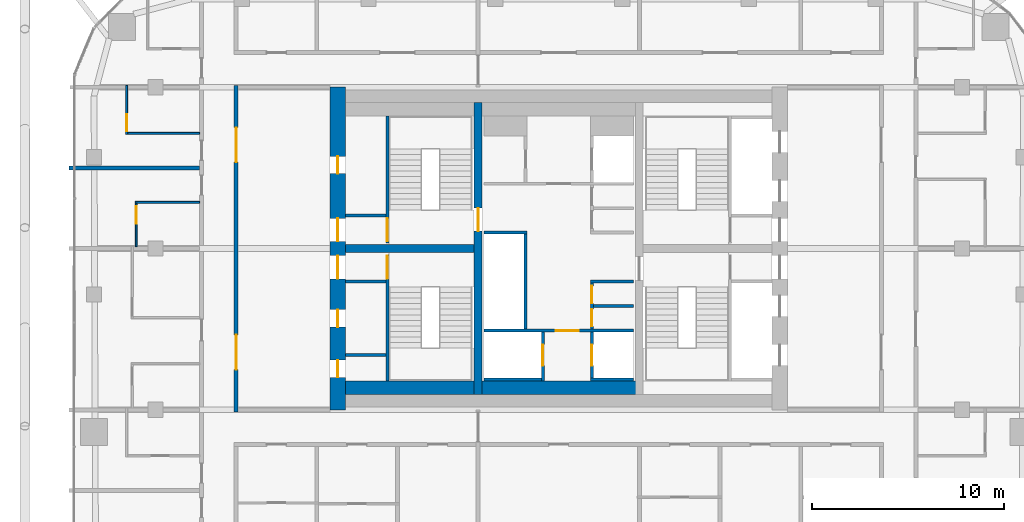
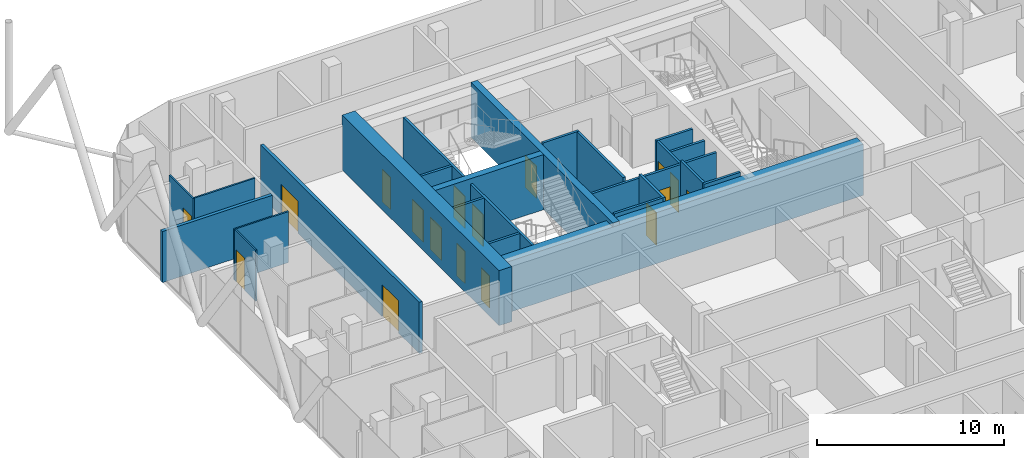
# One storey, part 24 of 28: 25 walls, 17 doors, 17 openings.
"""IFC4 building model written with IfcOpenShell, lengths in metres."""

import ifcopenshell
import ifcopenshell.guid

model = None  # the IFC model being written
_history = None  # IfcOwnerHistory: only IFC2X3 demands one
_inside = {}  # id of a spatial element -> (the spatial element, [elements in it])
_under = {}  # id of a project, library or spatial element -> (it, [spatial elements below it])
_declared = {}  # id of a project -> (the project, [libraries it declares])
_typed = {}  # id of a type object -> (the type object, [elements of that type])
_made_of = {}  # id of a material, layer set ... -> (it, [elements and type objects made of it])


def new_model(schema):
    """Start an empty IFC model of exactly this schema.

    Asked for "IFC4X3", IfcOpenShell would pick the latest addendum, in which some entities
    have other attributes; the version numbers below select the first issue.
    IFC2X3 requires an IfcOwnerHistory on every rooted entity: one is made here for all.
    """
    global model, _history
    if schema == "IFC4X3":
        model = ifcopenshell.file(schema_version=(4, 3, 0, 0))
    else:
        model = ifcopenshell.file(schema=schema)
    _inside.clear()
    _under.clear()
    _declared.clear()
    _typed.clear()
    _made_of.clear()
    _history = None
    if model.schema == "IFC2X3":
        org = make("IfcOrganization", Name="unknown")
        user = make(
            "IfcPersonAndOrganization",
            ThePerson=make("IfcPerson", FamilyName="unknown"),
            TheOrganization=org,
        )
        app = make(
            "IfcApplication",
            ApplicationDeveloper=org,
            Version="unknown",
            ApplicationFullName="unknown",
            ApplicationIdentifier="unknown",
        )
        _history = make(
            "IfcOwnerHistory",
            OwningUser=user,
            OwningApplication=app,
            ChangeAction="ADDED",
            CreationDate=0,
        )
    return model


def make(cls, **values):
    """One entity of the class cls with the attributes given. An attribute that is None is left unset."""
    return model.create_entity(
        cls, **{name: value for name, value in values.items() if value is not None}
    )


def rooted(cls, **values):
    """An entity with a GlobalId (a new one), such as an element, a storey or a relation."""
    return make(cls, GlobalId=ifcopenshell.guid.new(), OwnerHistory=_history, **values)


def si_unit(unit_type, name, prefix=None):
    """IfcSIUnit, for example si_unit("LENGTHUNIT", "METRE", prefix="MILLI")."""
    return make("IfcSIUnit", UnitType=unit_type, Prefix=prefix, Name=name)


def assignment(units):
    """IfcUnitAssignment: the units of a project."""
    return None if units is None else make("IfcUnitAssignment", Units=units)


def point(xyz):
    """IfcCartesianPoint."""
    return None if xyz is None else make("IfcCartesianPoint", Coordinates=xyz)


def direction(xyz):
    """IfcDirection."""
    return None if xyz is None else make("IfcDirection", DirectionRatios=xyz)


def frame(location, z_axis=None, x_axis=None):
    """IfcAxis2Placement3D, a coordinate frame: its origin and axes. An axis left out is left unset."""
    return make(
        "IfcAxis2Placement3D",
        Location=point(location),
        Axis=direction(z_axis),
        RefDirection=direction(x_axis),
    )


def frame_2d(location, x_axis=None):
    """IfcAxis2Placement2D, a coordinate frame in the plane: its origin and x axis."""
    return make(
        "IfcAxis2Placement2D", Location=point(location), RefDirection=direction(x_axis)
    )


def origin():
    """The frame at (0, 0, 0) with its axes left unset."""
    return frame((0.0, 0.0, 0.0))


def place(relative_to, where):
    """IfcLocalPlacement: puts the frame where relative to a parent placement (None: the world)."""
    return make(
        "IfcLocalPlacement", PlacementRelTo=relative_to, RelativePlacement=where
    )


def context(
    kind, dimensions, precision=None, world=None, true_north=None, identifier=None
):
    """IfcGeometricRepresentationContext, for example the 3D "Model" context."""
    return make(
        "IfcGeometricRepresentationContext",
        ContextIdentifier=identifier,
        ContextType=kind,
        CoordinateSpaceDimension=dimensions,
        Precision=precision,
        WorldCoordinateSystem=world,
        TrueNorth=true_north,
    )


def subcontext(parent, identifier, kind, view, scale=None):
    """IfcGeometricRepresentationSubContext, for example "Body" below "Model"."""
    return make(
        "IfcGeometricRepresentationSubContext",
        ContextIdentifier=identifier,
        ContextType=kind,
        ParentContext=parent,
        TargetScale=scale,
        TargetView=view,
    )


def project(units=None, contexts=None):
    """IfcProject with its units and contexts."""
    return rooted(
        "IfcProject",
        Name="project",
        RepresentationContexts=contexts,
        UnitsInContext=assignment(units),
    )


def spatial(cls, under=None, at=None, **own):
    """A site, building, storey or space (cls), placed at a placement, below another one or the project."""
    s = rooted(cls, ObjectPlacement=at, **own)
    if under is not None:
        _under.setdefault(under.id(), (under, []))[1].append(s)
    return s


def profile(cls, at=None, kind="AREA", **sizes):
    """A parametric profile (cls). Its sizes go by their IFC names, for example OverallWidth=200.0."""
    return make(cls, ProfileType=kind, Position=at, **sizes)


def rectangle(**sizes):
    """IfcRectangleProfileDef."""
    return profile("IfcRectangleProfileDef", **sizes)


def extrude(swept, where, along, depth):
    """IfcExtrudedAreaSolid: the profile swept, set in the frame where, extruded along a direction by depth."""
    return make(
        "IfcExtrudedAreaSolid",
        SweptArea=swept,
        Position=where,
        ExtrudedDirection=direction(along),
        Depth=depth,
    )


def shape(context_of_items, identifier, shape_type, items):
    """IfcShapeRepresentation: the items that make up one representation, for example the "Body"."""
    return make(
        "IfcShapeRepresentation",
        ContextOfItems=context_of_items,
        RepresentationIdentifier=identifier,
        RepresentationType=shape_type,
        Items=items,
    )


def material(Name=None, Category=None):
    """IfcMaterial."""
    return make("IfcMaterial", Name=Name, Category=Category)


def layer(
    of_material, thickness, ventilated=None, Name=None, Category=None, Priority=None
):
    """IfcMaterialLayer: one layer of a wall or slab, of a material (None: an air gap)."""
    return make(
        "IfcMaterialLayer",
        Material=of_material,
        LayerThickness=thickness,
        IsVentilated=ventilated,
        Name=Name,
        Category=Category,
        Priority=Priority,
    )


def layer_set(layers, Name=None):
    """IfcMaterialLayerSet."""
    return make("IfcMaterialLayerSet", MaterialLayers=layers, LayerSetName=Name)


def made_of(thing, what):
    """Note that an element or type object is made of a material, layer set ...; save() writes the relation."""
    if what is not None:
        _made_of.setdefault(what.id(), (what, []))[1].append(thing)
    return thing


def type_object(cls, material=None, **own):
    """A type object (cls), such as IfcWallType, which elements share."""
    return made_of(rooted(cls, **own), material)


def element(
    cls,
    number,
    at=None,
    inside=None,
    cuts=None,
    type_object=None,
    material=None,
    context=None,
    identifier="Body",
    shape_type=None,
    held_by="IfcProductDefinitionShape",
    body=None,
    shapes=None,
    **own,
):
    """One element of the class cls, such as IfcWall. Its Tag is "e" and its number.

    at: its placement. inside: the storey or other place that contains it. cuts: it is an
    opening in that element (IfcRelVoidsElement). A single representation is given by context,
    identifier, shape_type and body (its items); several are given by shapes. held_by: the class
    of the entity that holds the representations. save() writes the other relations.
    """
    e = rooted(cls, Tag="e%d" % number, ObjectPlacement=at, **own)
    if body is not None:
        shapes = [shape(context, identifier, shape_type, body)]
    if shapes is not None:
        e.Representation = make(held_by, Representations=shapes)
    if inside is not None:
        _inside.setdefault(inside.id(), (inside, []))[1].append(e)
    if cuts is not None:
        rooted(
            "IfcRelVoidsElement", RelatingBuildingElement=cuts, RelatedOpeningElement=e
        )
    if type_object is not None:
        _typed.setdefault(type_object.id(), (type_object, []))[1].append(e)
    return made_of(e, material)


def fill(opening, filler):
    """IfcRelFillsElement: the door or window that sits in an opening."""
    return rooted(
        "IfcRelFillsElement",
        RelatingOpeningElement=opening,
        RelatedBuildingElement=filler,
    )


def aggregate(whole, parts):
    """IfcRelAggregates: a whole, such as a stair, and the parts it consists of."""
    return rooted("IfcRelAggregates", RelatingObject=whole, RelatedObjects=parts)


def save(model, path):
    """Write the relations noted so far, then the file.

    IfcRelAggregates (storeys below a building ...), IfcRelContainedInSpatialStructure (elements
    in a storey), IfcRelDefinesByType, IfcRelAssociatesMaterial and IfcRelDeclares: one each for
    every whole, place, type object, material and project.
    """
    for whole, parts in _under.values():
        aggregate(whole, parts)
    for where, things in _inside.values():
        rooted(
            "IfcRelContainedInSpatialStructure",
            RelatedElements=things,
            RelatingStructure=where,
        )
    for kind, things in _typed.values():
        rooted("IfcRelDefinesByType", RelatedObjects=things, RelatingType=kind)
    for what, things in _made_of.values():
        rooted("IfcRelAssociatesMaterial", RelatedObjects=things, RelatingMaterial=what)
    for by, libraries in _declared.values():
        rooted("IfcRelDeclares", RelatingContext=by, RelatedDefinitions=libraries)
    model.write(path)


model = new_model("IFC4")

# Units and contexts
model_context = context("Model", 3, precision=1e-05, world=origin(), true_north=direction((0.0, 1.0)))
body_context = subcontext(model_context, "Body", "Model", "MODEL_VIEW")
ifc_project = project(units=[si_unit("LENGTHUNIT", "METRE"), si_unit("AREAUNIT", "SQUARE_METRE"), si_unit("VOLUMEUNIT", "CUBIC_METRE"), si_unit("PLANEANGLEUNIT", "RADIAN"), si_unit("MASSUNIT", "GRAM", prefix="KILO")], contexts=[model_context])

# Site, building, storey
site_placement = place(None, origin())
site = spatial("IfcSite", under=ifc_project, at=site_placement, CompositionType="ELEMENT")
building_placement = place(site_placement, origin())
building = spatial("IfcBuilding", under=site, at=building_placement, Name="Marenta Gate Hotel Tower", CompositionType="ELEMENT")
storey_placement = place(building_placement, frame((0.0, 0.0, 227.300048828125)))
storey = spatial("IfcBuildingStorey", under=building, at=storey_placement, Name="L53", CompositionType="ELEMENT", Elevation=227.300048828125)

# Wall, openings, doors
ifc_material_1 = material(Name="Concrete blockwork", Category="masonry")
ifc_layer_1 = layer(ifc_material_1, 0.199951171875)
ifc_layer_set_1 = layer_set([ifc_layer_1], Name="Concrete blockwork")
wall_type_1 = type_object("IfcWallType", Name="Core boundary wall 200 REI 180", PredefinedType="PARTITIONING", material=ifc_layer_set_1)
wall_1_placement = place(storey_placement, frame((-16.800048828125, -0.10009765625, 0.0), z_axis=(0.0, 0.0, 1.0), x_axis=(0.0, 1.0, 0.0)))
wall_1 = element("IfcWall", 1, at=wall_1_placement, inside=storey, type_object=wall_type_1, Name="L53-CP-BW-W", PredefinedType="PARTITIONING", context=body_context, shape_type="SweptSolid", body=[
    extrude(rectangle(XDim=17.0, YDim=0.199951171875, at=frame_2d((8.5, 0.0))), origin(), (0.0, 0.0, 1.0), 3.33984375),
])
opening_1_placement = place(wall_1_placement, frame((2.199951171875, 0.0, 0.0)))
opening_1 = element("IfcOpeningElement", 2, at=opening_1_placement, cuts=wall_1, Name="Opening ED-Wa-B", PredefinedType="OPENING", context=body_context, shape_type="SweptSolid", body=[
    extrude(rectangle(XDim=1.800048828125, YDim=2.10009765625, at=frame_2d((0.89990234375, 1.050048828125))), frame((0.0, 0.10009765625, 0.0), z_axis=(0.0, -1.0, 0.0), x_axis=(1.0, 0.0, 0.0)), (0.0, 0.0, 1.0), 0.199951171875),
])
opening_2_placement = place(wall_1_placement, frame((13.0, 0.0, 0.0)))
opening_2 = element("IfcOpeningElement", 3, at=opening_2_placement, cuts=wall_1, Name="Opening ED-Wb-B", PredefinedType="OPENING", context=body_context, shape_type="SweptSolid", body=[
    extrude(rectangle(XDim=1.800048828125, YDim=2.10009765625, at=frame_2d((0.89990234375, 1.050048828125))), frame((0.0, 0.10009765625, 0.0), z_axis=(0.0, -1.0, 0.0), x_axis=(1.0, 0.0, 0.0)), (0.0, 0.0, 1.0), 0.199951171875),
])
ifc_material_2 = material(Name="Steel", Category="steel")
door_type_1 = type_object("IfcDoorType", Name="Core lobby entrance door 1800x2100 EI 60", OperationType="DOUBLE_DOOR_SINGLE_SWING", PredefinedType="DOOR", material=ifc_material_2)
door_1_placement = place(opening_1_placement, origin())
door_1 = element("IfcDoor", 4, at=door_1_placement, inside=storey, type_object=door_type_1, Name="ED-Wa-B", OperationType="DOUBLE_DOOR_SINGLE_SWING", OverallHeight=2.10009765625, OverallWidth=1.800048828125, PredefinedType="DOOR", context=body_context, shape_type="SweptSolid", body=[
    extrude(rectangle(XDim=1.800048828125, YDim=2.10009765625, at=frame_2d((0.89990234375, 1.050048828125))), frame((0.0, 0.02490234375, 0.0), z_axis=(0.0, -1.0, 0.0), x_axis=(1.0, 0.0, 0.0)), (0.0, 0.0, 1.0), 0.050048828125),
])
fill(opening_1, door_1)
door_2_placement = place(opening_2_placement, origin())
door_2 = element("IfcDoor", 5, at=door_2_placement, inside=storey, type_object=door_type_1, Name="ED-Wb-B", OperationType="DOUBLE_DOOR_SINGLE_SWING", OverallHeight=2.10009765625, OverallWidth=1.800048828125, PredefinedType="DOOR", context=body_context, shape_type="SweptSolid", body=[
    extrude(rectangle(XDim=1.800048828125, YDim=2.10009765625, at=frame_2d((0.89990234375, 1.050048828125))), frame((0.0, 0.02490234375, 0.0), z_axis=(0.0, -1.0, 0.0), x_axis=(1.0, 0.0, 0.0)), (0.0, 0.0, 1.0), 0.050048828125),
])
fill(opening_2, door_2)

# Wall
ifc_material_3 = material(Name="Concrete C40", Category="concrete")
ifc_layer_2 = layer(ifc_material_3, 0.699951171875)
ifc_layer_set_2 = layer_set([ifc_layer_2], Name="Concrete C40")
wall_type_2 = type_object("IfcWallType", Name="Core lining wall 700 REI 180", PredefinedType="PARTITIONING", material=ifc_layer_set_2)
wall_2_placement = place(storey_placement, frame((-11.10009765625, 1.14990234375, 0.0), z_axis=(0.0, 0.0, 1.0), x_axis=(1.0, 0.0, 0.0)))
element("IfcWall", 6, at=wall_2_placement, inside=storey, type_object=wall_type_2, Name="L53-CP-LN-S", PredefinedType="PARTITIONING", context=body_context, shape_type="SweptSolid", body=[
    extrude(rectangle(XDim=22.2001953125, YDim=0.699951171875, at=frame_2d((11.10009765625, 0.0))), origin(), (0.0, 0.0, 1.0), 3.33984375),
])

# Wall, opening, door
ifc_material_4 = material(Name="Concrete blockwork", Category="masonry")
ifc_layer_3 = layer(ifc_material_4, 0.14990234375)
ifc_layer_set_3 = layer_set([ifc_layer_3], Name="Concrete blockwork")
wall_type_3 = type_object("IfcWallType", Name="Core lobby partition 150 REI 180", PredefinedType="PARTITIONING", material=ifc_layer_set_3)
wall_3_placement = place(storey_placement, frame((-3.89990234375, 4.125, 0.0), z_axis=(0.0, 0.0, 1.0), x_axis=(1.0, 0.0, 0.0)))
wall_3 = element("IfcWall", 7, at=wall_3_placement, inside=storey, type_object=wall_type_3, Name="L53-CP-CW-S", PredefinedType="PARTITIONING", context=body_context, shape_type="SweptSolid", body=[
    extrude(rectangle(XDim=7.7998046875, YDim=0.14990234375, at=frame_2d((3.89990234375, 0.0))), origin(), (0.0, 0.0, 1.0), 3.33984375),
])
opening_3_placement = place(wall_3_placement, frame((3.75, 0.0, 0.0)))
opening_3 = element("IfcOpeningElement", 8, at=opening_3_placement, cuts=wall_3, Name="Opening FD-FFS", PredefinedType="OPENING", context=body_context, shape_type="SweptSolid", body=[
    extrude(rectangle(XDim=1.199951171875, YDim=2.10009765625, at=frame_2d((0.60009765625, 1.050048828125))), frame((0.0, 0.074951171875, 0.0), z_axis=(0.0, -1.0, 0.0), x_axis=(1.0, 0.0, 0.0)), (0.0, 0.0, 1.0), 0.14990234375),
])
ifc_material_5 = material(Name="Steel", Category="steel")
door_type_2 = type_object("IfcDoorType", Name="Core lobby door 1200x2100 FD60", OperationType="SINGLE_SWING_LEFT", PredefinedType="DOOR", material=ifc_material_5)
door_3_placement = place(opening_3_placement, origin())
door_3 = element("IfcDoor", 9, at=door_3_placement, inside=storey, type_object=door_type_2, Name="FD-FFS", OperationType="SINGLE_SWING_LEFT", OverallHeight=2.10009765625, OverallWidth=1.199951171875, PredefinedType="DOOR", context=body_context, shape_type="SweptSolid", body=[
    extrude(rectangle(XDim=1.199951171875, YDim=2.10009765625, at=frame_2d((0.60009765625, 1.050048828125))), frame((0.0, 0.02490234375, 0.0), z_axis=(0.0, -1.0, 0.0), x_axis=(1.0, 0.0, 0.0)), (0.0, 0.0, 1.0), 0.050048828125),
])
fill(opening_3, door_3)

# Walls
ifc_material_6 = material(Name="Concrete blockwork", Category="masonry")
ifc_layer_4 = layer(ifc_material_6, 0.14990234375)
ifc_layer_set_4 = layer_set([ifc_layer_4], Name="Concrete blockwork")
wall_type_4 = type_object("IfcWallType", Name="Core room partition 150 REI 180", PredefinedType="PARTITIONING", material=ifc_layer_set_4)
for number, where, z_axis, x_axis, name in (
    (10, (-11.10009765625, 6.675048828125, 0.0), (0.0, 0.0, 1.0), (1.0, 0.0, 0.0), "L53-CP-SW-WS-2"),
    (11, (-11.10009765625, 2.85009765625, 0.0), (0.0, 0.0, 1.0), (1.0, 0.0, 0.0), "L53-CP-RW-WS-1"),
    (12, (-11.10009765625, 10.125, 0.0), (0.0, 0.0, 1.0), (1.0, 0.0, 0.0), "L53-CP-SW-WN-2"),
):
    element("IfcWall", number, at=place(storey_placement, frame(where, z_axis=z_axis, x_axis=x_axis)), inside=storey, type_object=wall_type_4, Name=name, PredefinedType="PARTITIONING", context=body_context, shape_type="SweptSolid", body=[
        extrude(rectangle(XDim=2.10009765625, YDim=0.14990234375, at=frame_2d((1.050048828125, 0.0))), origin(), (0.0, 0.0, 1.0), 3.33984375),
    ])
wall_4_placement = place(storey_placement, frame((1.64990234375, 6.675048828125, 0.0), z_axis=(0.0, 0.0, 1.0), x_axis=(1.0, 0.0, 0.0)))
element("IfcWall", 13, at=wall_4_placement, inside=storey, type_object=wall_type_4, Name="L53-CP-CE-sep1", PredefinedType="PARTITIONING", context=body_context, shape_type="SweptSolid", body=[
    extrude(rectangle(XDim=2.25, YDim=0.14990234375, at=frame_2d((1.125, 0.0))), origin(), (0.0, 0.0, 1.0), 3.33984375),
])

# Wall, openings, doors
wall_5_placement = place(storey_placement, frame((1.72509765625, 4.199951171875, 0.0), z_axis=(0.0, 0.0, 1.0), x_axis=(0.0, 1.0, 0.0)))
wall_5 = element("IfcWall", 14, at=wall_5_placement, inside=storey, type_object=wall_type_4, Name="L53-CP-CE-front-1", PredefinedType="PARTITIONING", context=body_context, shape_type="SweptSolid", body=[
    extrude(rectangle(XDim=2.400146484375, YDim=0.14990234375, at=frame_2d((1.2001953125, 0.0))), origin(), (0.0, 0.0, 1.0), 3.33984375),
])
opening_4_placement = place(wall_5_placement, frame((0.14990234375, 0.0, 0.0)))
opening_4 = element("IfcOpeningElement", 15, at=opening_4_placement, cuts=wall_5, Name="Opening RD-CE-1a", PredefinedType="OPENING", context=body_context, shape_type="SweptSolid", body=[
    extrude(rectangle(XDim=0.89990234375, YDim=2.10009765625, at=frame_2d((0.449951171875, 1.050048828125))), frame((0.0, 0.074951171875, 0.0), z_axis=(0.0, -1.0, 0.0), x_axis=(1.0, 0.0, 0.0)), (0.0, 0.0, 1.0), 0.14990234375),
])
opening_5_placement = place(wall_5_placement, frame((1.35009765625, 0.0, 0.0)))
opening_5 = element("IfcOpeningElement", 16, at=opening_5_placement, cuts=wall_5, Name="Opening RD-CE-1b-B", PredefinedType="OPENING", context=body_context, shape_type="SweptSolid", body=[
    extrude(rectangle(XDim=0.89990234375, YDim=2.10009765625, at=frame_2d((0.449951171875, 1.050048828125))), frame((0.0, 0.074951171875, 0.0), z_axis=(0.0, -1.0, 0.0), x_axis=(1.0, 0.0, 0.0)), (0.0, 0.0, 1.0), 0.14990234375),
])
ifc_material_7 = material(Name="Steel", Category="steel")
door_type_3 = type_object("IfcDoorType", Name="Core service room door 900x2100 FD30S", OperationType="SINGLE_SWING_LEFT", PredefinedType="DOOR", material=ifc_material_7)
door_4_placement = place(opening_4_placement, origin())
door_4 = element("IfcDoor", 17, at=door_4_placement, inside=storey, type_object=door_type_3, Name="RD-CE-1a", OperationType="SINGLE_SWING_LEFT", OverallHeight=2.10009765625, OverallWidth=0.89990234375, PredefinedType="DOOR", context=body_context, shape_type="SweptSolid", body=[
    extrude(rectangle(XDim=0.89990234375, YDim=2.10009765625, at=frame_2d((0.449951171875, 1.050048828125))), frame((0.0, 0.02490234375, 0.0), z_axis=(0.0, -1.0, 0.0), x_axis=(1.0, 0.0, 0.0)), (0.0, 0.0, 1.0), 0.050048828125),
])
fill(opening_4, door_4)
door_5_placement = place(opening_5_placement, origin())
door_5 = element("IfcDoor", 18, at=door_5_placement, inside=storey, type_object=door_type_3, Name="RD-CE-1b-B", OperationType="SINGLE_SWING_LEFT", OverallHeight=2.10009765625, OverallWidth=0.89990234375, PredefinedType="DOOR", context=body_context, shape_type="SweptSolid", body=[
    extrude(rectangle(XDim=0.89990234375, YDim=2.10009765625, at=frame_2d((0.449951171875, 1.050048828125))), frame((0.0, 0.02490234375, 0.0), z_axis=(0.0, -1.0, 0.0), x_axis=(1.0, 0.0, 0.0)), (0.0, 0.0, 1.0), 0.050048828125),
])
fill(opening_5, door_5)

# Wall
wall_6_placement = place(storey_placement, frame((1.800048828125, 5.39990234375, 0.0), z_axis=(0.0, 0.0, 1.0), x_axis=(1.0, 0.0, 0.0)))
element("IfcWall", 19, at=wall_6_placement, inside=storey, type_object=wall_type_4, Name="L53-CP-CE-RW-1", PredefinedType="PARTITIONING", context=body_context, shape_type="SweptSolid", body=[
    extrude(rectangle(XDim=2.099853515625, YDim=0.14990234375, at=frame_2d((1.0498046875, 0.0))), origin(), (0.0, 0.0, 1.0), 3.33984375),
])

# Wall, opening, door
ifc_material_8 = material(Name="Concrete C40", Category="concrete")
ifc_layer_5 = layer(ifc_material_8, 0.14990234375)
ifc_layer_set_5 = layer_set([ifc_layer_5], Name="Concrete C40")
wall_type_5 = type_object("IfcWallType", Name="Core shaft wall 150 REI 180", PredefinedType="SHEAR", material=ifc_layer_set_5)
wall_7_placement = place(storey_placement, frame((-0.824951171875, 1.5, 0.0), z_axis=(0.0, 0.0, 1.0), x_axis=(0.0, 1.0, 0.0)))
wall_7 = element("IfcWall", 20, at=wall_7_placement, inside=storey, type_object=wall_type_5, Name="L53-SHF-CW-W-ff", PredefinedType="SHEAR", context=body_context, shape_type="SweptSolid", body=[
    extrude(rectangle(XDim=2.550048828125, YDim=0.14990234375, at=frame_2d((1.27490234375, 0.0))), origin(), (0.0, 0.0, 1.0), 3.599853515625),
])
opening_6_placement = place(wall_7_placement, frame((0.800048828125, 0.0, 0.0)))
opening_6 = element("IfcOpeningElement", 21, at=opening_6_placement, cuts=wall_7, Name="Opening LD-FF1", PredefinedType="OPENING", context=body_context, shape_type="SweptSolid", body=[
    extrude(rectangle(XDim=1.10009765625, YDim=2.10009765625, at=frame_2d((0.550048828125, 1.050048828125))), frame((0.0, 0.074951171875, 0.0), z_axis=(0.0, -1.0, 0.0), x_axis=(1.0, 0.0, 0.0)), (0.0, 0.0, 1.0), 0.14990234375),
])
ifc_material_9 = material(Name="Steel", Category="steel")
door_type_4 = type_object("IfcDoorType", Name="Core lift landing door 1100x2100 E 60", OperationType="SLIDING_TO_LEFT", PredefinedType="DOOR", material=ifc_material_9)
door_6_placement = place(opening_6_placement, origin())
door_6 = element("IfcDoor", 22, at=door_6_placement, inside=storey, type_object=door_type_4, Name="LD-FF1", OperationType="SLIDING_TO_LEFT", OverallHeight=2.10009765625, OverallWidth=1.10009765625, PredefinedType="DOOR", context=body_context, shape_type="SweptSolid", body=[
    extrude(rectangle(XDim=1.10009765625, YDim=2.10009765625, at=frame_2d((0.550048828125, 1.050048828125))), frame((0.0, 0.02490234375, 0.0), z_axis=(0.0, -1.0, 0.0), x_axis=(1.0, 0.0, 0.0)), (0.0, 0.0, 1.0), 0.050048828125),
])
fill(opening_6, door_6)

# Walls
wall_8_placement = place(storey_placement, frame((-3.89990234375, 1.574951171875, 0.0), z_axis=(0.0, 0.0, 1.0), x_axis=(1.0, 0.0, 0.0)))
element("IfcWall", 23, at=wall_8_placement, inside=storey, type_object=wall_type_5, Name="L53-SHF-CW-W-ffs", PredefinedType="SHEAR", context=body_context, shape_type="SweptSolid", body=[
    extrude(rectangle(XDim=3.0, YDim=0.14990234375, at=frame_2d((1.5, 0.0))), origin(), (0.0, 0.0, 1.0), 3.599853515625),
])
wall_9_placement = place(storey_placement, frame((-1.72509765625, 4.199951171875, 0.0), z_axis=(0.0, 0.0, 1.0), x_axis=(0.0, 1.0, 0.0)))
element("IfcWall", 24, at=wall_9_placement, inside=storey, type_object=wall_type_5, Name="L53-SHF-CW-W-front", PredefinedType="SHEAR", context=body_context, shape_type="SweptSolid", body=[
    extrude(rectangle(XDim=4.949951171875, YDim=0.14990234375, at=frame_2d((2.47509765625, 0.0))), origin(), (0.0, 0.0, 1.0), 3.599853515625),
])
wall_10_placement = place(storey_placement, frame((-3.89990234375, 9.22509765625, 0.0), z_axis=(0.0, 0.0, 1.0), x_axis=(1.0, 0.0, 0.0)))
element("IfcWall", 25, at=wall_10_placement, inside=storey, type_object=wall_type_5, Name="L53-SHF-CW-W-sep", PredefinedType="SHEAR", context=body_context, shape_type="SweptSolid", body=[
    extrude(rectangle(XDim=2.25, YDim=0.14990234375, at=frame_2d((1.125, 0.0))), origin(), (0.0, 0.0, 1.0), 3.599853515625),
])

# Wall, opening, door
wall_11_placement = place(storey_placement, frame((1.72509765625, 1.64990234375, 0.0), z_axis=(0.0, 0.0, 1.0), x_axis=(0.0, 1.0, 0.0)))
wall_11 = element("IfcWall", 26, at=wall_11_placement, inside=storey, type_object=wall_type_5, Name="L53-SHF-CE-S-ls", PredefinedType="SHEAR", context=body_context, shape_type="SweptSolid", body=[
    extrude(rectangle(XDim=2.400146484375, YDim=0.14990234375, at=frame_2d((1.2001953125, 0.0))), origin(), (0.0, 0.0, 1.0), 3.599853515625),
])
opening_7_placement = place(wall_11_placement, frame((0.64990234375, 0.0, 0.0)))
opening_7 = element("IfcOpeningElement", 27, at=opening_7_placement, cuts=wall_11, Name="Opening LD-SV1", PredefinedType="OPENING", context=body_context, shape_type="SweptSolid", body=[
    extrude(rectangle(XDim=1.10009765625, YDim=2.10009765625, at=frame_2d((0.550048828125, 1.050048828125))), frame((0.0, 0.074951171875, 0.0), z_axis=(0.0, -1.0, 0.0), x_axis=(1.0, 0.0, 0.0)), (0.0, 0.0, 1.0), 0.14990234375),
])
door_7_placement = place(opening_7_placement, origin())
door_7 = element("IfcDoor", 28, at=door_7_placement, inside=storey, type_object=door_type_4, Name="LD-SV1", OperationType="SLIDING_TO_LEFT", OverallHeight=2.10009765625, OverallWidth=1.10009765625, PredefinedType="DOOR", context=body_context, shape_type="SweptSolid", body=[
    extrude(rectangle(XDim=1.10009765625, YDim=2.10009765625, at=frame_2d((0.550048828125, 1.050048828125))), frame((0.0, 0.02490234375, 0.0), z_axis=(0.0, -1.0, 0.0), x_axis=(1.0, 0.0, 0.0)), (0.0, 0.0, 1.0), 0.050048828125),
])
fill(opening_7, door_7)

# Wall
wall_12_placement = place(storey_placement, frame((1.64990234375, 1.574951171875, 0.0), z_axis=(0.0, 0.0, 1.0), x_axis=(1.0, 0.0, 0.0)))
element("IfcWall", 29, at=wall_12_placement, inside=storey, type_object=wall_type_5, Name="L53-SHF-CE-S-bot", PredefinedType="SHEAR", context=body_context, shape_type="SweptSolid", body=[
    extrude(rectangle(XDim=2.25, YDim=0.14990234375, at=frame_2d((1.125, 0.0))), origin(), (0.0, 0.0, 1.0), 3.599853515625),
])

# Wall, opening, door
ifc_material_10 = material(Name="Concrete C40", Category="concrete")
ifc_layer_6 = layer(ifc_material_10, 0.14990234375)
ifc_layer_set_6 = layer_set([ifc_layer_6], Name="Concrete C40")
wall_type_6 = type_object("IfcWallType", Name="Core stair enclosure wall 150 REI 180", PredefinedType="SHEAR", material=ifc_layer_set_6)
wall_13_placement = place(storey_placement, frame((-8.925048828125, 1.5, 0.0), z_axis=(0.0, 0.0, 1.0), x_axis=(0.0, 1.0, 0.0)))
wall_13 = element("IfcWall", 30, at=wall_13_placement, inside=storey, type_object=wall_type_6, Name="L53-SHF-SW-WS-3", PredefinedType="SHEAR", context=body_context, shape_type="SweptSolid", body=[
    extrude(rectangle(XDim=6.60009765625, YDim=0.14990234375, at=frame_2d((3.300048828125, 0.0))), origin(), (0.0, 0.0, 1.0), 3.33984375),
])
opening_8_placement = place(wall_13_placement, frame((5.324951171875, 0.0, 0.0)))
opening_8 = element("IfcOpeningElement", 31, at=opening_8_placement, cuts=wall_13, Name="Opening SD-WS", PredefinedType="OPENING", context=body_context, shape_type="SweptSolid", body=[
    extrude(rectangle(XDim=1.199951171875, YDim=2.10009765625, at=frame_2d((0.60009765625, 1.050048828125))), frame((0.0, 0.074951171875, 0.0), z_axis=(0.0, -1.0, 0.0), x_axis=(1.0, 0.0, 0.0)), (0.0, 0.0, 1.0), 0.14990234375),
])
ifc_material_11 = material(Name="Steel", Category="steel")
door_type_5 = type_object("IfcDoorType", Name="Core stair door 1200x2100 FD60", OperationType="SINGLE_SWING_LEFT", PredefinedType="DOOR", material=ifc_material_11)
door_8_placement = place(opening_8_placement, origin())
door_8 = element("IfcDoor", 32, at=door_8_placement, inside=storey, type_object=door_type_5, Name="SD-WS", OperationType="SINGLE_SWING_LEFT", OverallHeight=2.10009765625, OverallWidth=1.199951171875, PredefinedType="DOOR", context=body_context, shape_type="SweptSolid", body=[
    extrude(rectangle(XDim=1.199951171875, YDim=2.10009765625, at=frame_2d((0.60009765625, 1.050048828125))), frame((0.0, 0.02490234375, 0.0), z_axis=(0.0, -1.0, 0.0), x_axis=(1.0, 0.0, 0.0)), (0.0, 0.0, 1.0), 0.050048828125),
])
fill(opening_8, door_8)

wall_14_placement = place(storey_placement, frame((-8.925048828125, 8.699951171875, 0.0), z_axis=(0.0, 0.0, 1.0), x_axis=(0.0, 1.0, 0.0)))
wall_14 = element("IfcWall", 33, at=wall_14_placement, inside=storey, type_object=wall_type_6, Name="L53-SHF-SW-WN-3", PredefinedType="SHEAR", context=body_context, shape_type="SweptSolid", body=[
    extrude(rectangle(XDim=6.60009765625, YDim=0.14990234375, at=frame_2d((3.300048828125, 0.0))), origin(), (0.0, 0.0, 1.0), 3.33984375),
])
opening_9_placement = place(wall_14_placement, frame((0.074951171875, 0.0, 0.0)))
opening_9 = element("IfcOpeningElement", 34, at=opening_9_placement, cuts=wall_14, Name="Opening SD-WN", PredefinedType="OPENING", context=body_context, shape_type="SweptSolid", body=[
    extrude(rectangle(XDim=1.199951171875, YDim=2.10009765625, at=frame_2d((0.60009765625, 1.050048828125))), frame((0.0, 0.074951171875, 0.0), z_axis=(0.0, -1.0, 0.0), x_axis=(1.0, 0.0, 0.0)), (0.0, 0.0, 1.0), 0.14990234375),
])
door_9_placement = place(opening_9_placement, origin())
door_9 = element("IfcDoor", 35, at=door_9_placement, inside=storey, type_object=door_type_5, Name="SD-WN", OperationType="SINGLE_SWING_LEFT", OverallHeight=2.10009765625, OverallWidth=1.199951171875, PredefinedType="DOOR", context=body_context, shape_type="SweptSolid", body=[
    extrude(rectangle(XDim=1.199951171875, YDim=2.10009765625, at=frame_2d((0.60009765625, 1.050048828125))), frame((0.0, 0.02490234375, 0.0), z_axis=(0.0, -1.0, 0.0), x_axis=(1.0, 0.0, 0.0)), (0.0, 0.0, 1.0), 0.050048828125),
])
fill(opening_9, door_9)

# Wall, openings, doors
ifc_material_12 = material(Name="Concrete C60", Category="concrete")
ifc_layer_7 = layer(ifc_material_12, 0.800048828125)
ifc_layer_set_7 = layer_set([ifc_layer_7], Name="Concrete C60")
wall_type_7 = type_object("IfcWallType", Name="Core wall 800 C60", PredefinedType="SHEAR", material=ifc_layer_set_7)
wall_15_placement = place(storey_placement, frame((-11.5, 0.0, 0.0), z_axis=(0.0, 0.0, 1.0), x_axis=(0.0, 1.0, 0.0)))
wall_15 = element("IfcWall", 36, at=wall_15_placement, inside=storey, type_object=wall_type_7, Name="L53-CORE-W", PredefinedType="SHEAR", context=body_context, shape_type="SweptSolid", body=[
    extrude(rectangle(XDim=16.800048828125, YDim=0.800048828125, at=frame_2d((8.39990234375, 0.0))), origin(), (0.0, 0.0, 1.0), 3.599853515625),
])
opening_10_placement = place(wall_15_placement, frame((1.6875, 0.0, 0.0)))
opening_10 = element("IfcOpeningElement", 37, at=opening_10_placement, cuts=wall_15, Name="Opening RD-WS-1", PredefinedType="OPENING", context=body_context, shape_type="SweptSolid", body=[
    extrude(rectangle(XDim=0.89990234375, YDim=2.10009765625, at=frame_2d((0.449951171875, 1.050048828125))), frame((0.0, 0.39990234375, 0.0), z_axis=(0.0, -1.0, 0.0), x_axis=(1.0, 0.0, 0.0)), (0.0, 0.0, 1.0), 0.800048828125),
])
opening_11_placement = place(wall_15_placement, frame((4.3125, 0.0, 0.0)))
opening_11 = element("IfcOpeningElement", 38, at=opening_11_placement, cuts=wall_15, Name="Opening RD-WS-2", PredefinedType="OPENING", context=body_context, shape_type="SweptSolid", body=[
    extrude(rectangle(XDim=0.89990234375, YDim=2.10009765625, at=frame_2d((0.449951171875, 1.050048828125))), frame((0.0, 0.39990234375, 0.0), z_axis=(0.0, -1.0, 0.0), x_axis=(1.0, 0.0, 0.0)), (0.0, 0.0, 1.0), 0.800048828125),
])
opening_12_placement = place(wall_15_placement, frame((6.824951171875, 0.0, 0.0)))
opening_12 = element("IfcOpeningElement", 39, at=opening_12_placement, cuts=wall_15, Name="Opening PD-WS", PredefinedType="OPENING", context=body_context, shape_type="SweptSolid", body=[
    extrude(rectangle(XDim=1.199951171875, YDim=2.10009765625, at=frame_2d((0.60009765625, 1.050048828125))), frame((0.0, 0.39990234375, 0.0), z_axis=(0.0, -1.0, 0.0), x_axis=(1.0, 0.0, 0.0)), (0.0, 0.0, 1.0), 0.800048828125),
])
opening_13_placement = place(wall_15_placement, frame((12.300048828125, 0.0, 0.0)))
opening_13 = element("IfcOpeningElement", 40, at=opening_13_placement, cuts=wall_15, Name="Opening RD-WN-1", PredefinedType="OPENING", context=body_context, shape_type="SweptSolid", body=[
    extrude(rectangle(XDim=0.89990234375, YDim=2.10009765625, at=frame_2d((0.449951171875, 1.050048828125))), frame((0.0, 0.39990234375, 0.0), z_axis=(0.0, -1.0, 0.0), x_axis=(1.0, 0.0, 0.0)), (0.0, 0.0, 1.0), 0.800048828125),
])
opening_14_placement = place(wall_15_placement, frame((8.77490234375, 0.0, 0.0)))
opening_14 = element("IfcOpeningElement", 41, at=opening_14_placement, cuts=wall_15, Name="Opening PD-WN", PredefinedType="OPENING", context=body_context, shape_type="SweptSolid", body=[
    extrude(rectangle(XDim=1.199951171875, YDim=2.10009765625, at=frame_2d((0.60009765625, 1.050048828125))), frame((0.0, 0.39990234375, 0.0), z_axis=(0.0, -1.0, 0.0), x_axis=(1.0, 0.0, 0.0)), (0.0, 0.0, 1.0), 0.800048828125),
])
door_10_placement = place(opening_12_placement, origin())
door_10 = element("IfcDoor", 42, at=door_10_placement, inside=storey, type_object=door_type_2, Name="PD-WS", OperationType="SINGLE_SWING_LEFT", OverallHeight=2.10009765625, OverallWidth=1.199951171875, PredefinedType="DOOR", context=body_context, shape_type="SweptSolid", body=[
    extrude(rectangle(XDim=1.199951171875, YDim=2.10009765625, at=frame_2d((0.60009765625, 1.050048828125))), frame((0.0, 0.02490234375, 0.0), z_axis=(0.0, -1.0, 0.0), x_axis=(1.0, 0.0, 0.0)), (0.0, 0.0, 1.0), 0.050048828125),
])
fill(opening_12, door_10)
door_11_placement = place(opening_14_placement, origin())
door_11 = element("IfcDoor", 43, at=door_11_placement, inside=storey, type_object=door_type_2, Name="PD-WN", OperationType="SINGLE_SWING_LEFT", OverallHeight=2.10009765625, OverallWidth=1.199951171875, PredefinedType="DOOR", context=body_context, shape_type="SweptSolid", body=[
    extrude(rectangle(XDim=1.199951171875, YDim=2.10009765625, at=frame_2d((0.60009765625, 1.050048828125))), frame((0.0, 0.02490234375, 0.0), z_axis=(0.0, -1.0, 0.0), x_axis=(1.0, 0.0, 0.0)), (0.0, 0.0, 1.0), 0.050048828125),
])
fill(opening_14, door_11)
door_12_placement = place(opening_10_placement, origin())
door_12 = element("IfcDoor", 44, at=door_12_placement, inside=storey, type_object=door_type_3, Name="RD-WS-1", OperationType="SINGLE_SWING_LEFT", OverallHeight=2.10009765625, OverallWidth=0.89990234375, PredefinedType="DOOR", context=body_context, shape_type="SweptSolid", body=[
    extrude(rectangle(XDim=0.89990234375, YDim=2.10009765625, at=frame_2d((0.449951171875, 1.050048828125))), frame((0.0, 0.02490234375, 0.0), z_axis=(0.0, -1.0, 0.0), x_axis=(1.0, 0.0, 0.0)), (0.0, 0.0, 1.0), 0.050048828125),
])
fill(opening_10, door_12)
door_13_placement = place(opening_11_placement, origin())
door_13 = element("IfcDoor", 45, at=door_13_placement, inside=storey, type_object=door_type_3, Name="RD-WS-2", OperationType="SINGLE_SWING_LEFT", OverallHeight=2.10009765625, OverallWidth=0.89990234375, PredefinedType="DOOR", context=body_context, shape_type="SweptSolid", body=[
    extrude(rectangle(XDim=0.89990234375, YDim=2.10009765625, at=frame_2d((0.449951171875, 1.050048828125))), frame((0.0, 0.02490234375, 0.0), z_axis=(0.0, -1.0, 0.0), x_axis=(1.0, 0.0, 0.0)), (0.0, 0.0, 1.0), 0.050048828125),
])
fill(opening_11, door_13)
door_14_placement = place(opening_13_placement, origin())
door_14 = element("IfcDoor", 46, at=door_14_placement, inside=storey, type_object=door_type_3, Name="RD-WN-1", OperationType="SINGLE_SWING_LEFT", OverallHeight=2.10009765625, OverallWidth=0.89990234375, PredefinedType="DOOR", context=body_context, shape_type="SweptSolid", body=[
    extrude(rectangle(XDim=0.89990234375, YDim=2.10009765625, at=frame_2d((0.449951171875, 1.050048828125))), frame((0.0, 0.02490234375, 0.0), z_axis=(0.0, -1.0, 0.0), x_axis=(1.0, 0.0, 0.0)), (0.0, 0.0, 1.0), 0.050048828125),
])
fill(opening_13, door_14)

# Wall, opening, door
ifc_material_13 = material(Name="Concrete C60", Category="concrete")
ifc_layer_8 = layer(ifc_material_13, 0.39990234375)
ifc_layer_set_8 = layer_set([ifc_layer_8], Name="Concrete C60")
wall_type_8 = type_object("IfcWallType", Name="Core web 400 C60", PredefinedType="SHEAR", material=ifc_layer_set_8)
wall_16_placement = place(storey_placement, frame((-4.199951171875, 0.800048828125, 0.0), z_axis=(0.0, 0.0, 1.0), x_axis=(0.0, 1.0, 0.0)))
wall_16 = element("IfcWall", 47, at=wall_16_placement, inside=storey, type_object=wall_type_8, Name="L53-CORE-W1", PredefinedType="SHEAR", context=body_context, shape_type="SweptSolid", body=[
    extrude(rectangle(XDim=15.199951171875, YDim=0.39990234375, at=frame_2d((7.60009765625, 0.0))), origin(), (0.0, 0.0, 1.0), 3.599853515625),
])
opening_15_placement = place(wall_16_placement, frame((8.5, 0.0, 0.0)))
opening_15 = element("IfcOpeningElement", 48, at=opening_15_placement, cuts=wall_16, Name="Opening WD-W", PredefinedType="OPENING", context=body_context, shape_type="SweptSolid", body=[
    extrude(rectangle(XDim=1.199951171875, YDim=2.10009765625, at=frame_2d((0.60009765625, 1.050048828125))), frame((0.0, 0.199951171875, 0.0), z_axis=(0.0, -1.0, 0.0), x_axis=(1.0, 0.0, 0.0)), (0.0, 0.0, 1.0), 0.39990234375),
])
door_15_placement = place(opening_15_placement, origin())
door_15 = element("IfcDoor", 49, at=door_15_placement, inside=storey, type_object=door_type_5, Name="WD-W", OperationType="SINGLE_SWING_LEFT", OverallHeight=2.10009765625, OverallWidth=1.199951171875, PredefinedType="DOOR", context=body_context, shape_type="SweptSolid", body=[
    extrude(rectangle(XDim=1.199951171875, YDim=2.10009765625, at=frame_2d((0.60009765625, 1.050048828125))), frame((0.0, 0.02490234375, 0.0), z_axis=(0.0, -1.0, 0.0), x_axis=(1.0, 0.0, 0.0)), (0.0, 0.0, 1.0), 0.050048828125),
])
fill(opening_15, door_15)

# Walls
wall_17_placement = place(storey_placement, frame((-11.10009765625, 8.39990234375, 0.0), z_axis=(0.0, 0.0, 1.0), x_axis=(1.0, 0.0, 0.0)))
element("IfcWall", 50, at=wall_17_placement, inside=storey, type_object=wall_type_8, Name="L53-CORE-W3", PredefinedType="SHEAR", context=body_context, shape_type="SweptSolid", body=[
    extrude(rectangle(XDim=6.7001953125, YDim=0.39990234375, at=frame_2d((3.35009765625, 0.0))), origin(), (0.0, 0.0, 1.0), 3.599853515625),
])
ifc_material_14 = material(Name="Gypsum board on steel stud", Category="steel")
ifc_layer_9 = layer(ifc_material_14, 0.10009765625)
ifc_layer_set_9 = layer_set([ifc_layer_9], Name="Gypsum board on steel stud")
wall_type_9 = type_object("IfcWallType", Name="Room partition 100", PredefinedType="PARTITIONING", material=ifc_layer_set_9)
wall_18_placement = place(storey_placement, frame((-22.050048828125, 10.800048828125, 0.0), z_axis=(0.0, 0.0, 1.0), x_axis=(1.0, 0.0, 0.0)))
element("IfcWall", 51, at=wall_18_placement, inside=storey, type_object=wall_type_9, Name="L53-PTN-W093", PredefinedType="PARTITIONING", context=body_context, shape_type="SweptSolid", body=[
    extrude(rectangle(XDim=3.35009765625, YDim=0.10009765625, at=frame_2d((1.675048828125, 0.0))), origin(), (0.0, 0.0, 1.0), 3.33984375),
])
wall_19_placement = place(storey_placement, frame((-22.449951171875, 14.39990234375, 0.0), z_axis=(0.0, 0.0, 1.0), x_axis=(1.0, 0.0, 0.0)))
element("IfcWall", 52, at=wall_19_placement, inside=storey, type_object=wall_type_9, Name="L53-PTN-W101", PredefinedType="PARTITIONING", context=body_context, shape_type="SweptSolid", body=[
    extrude(rectangle(XDim=3.75, YDim=0.10009765625, at=frame_2d((1.875, 0.0))), origin(), (0.0, 0.0, 1.0), 3.33984375),
])

# Wall, opening, door
wall_20_placement = place(storey_placement, frame((-22.0, 8.5, 0.0), z_axis=(0.0, 0.0, 1.0), x_axis=(0.0, 1.0, 0.0)))
wall_20 = element("IfcWall", 53, at=wall_20_placement, inside=storey, type_object=wall_type_9, Name="L53-PTN-W118", PredefinedType="PARTITIONING", context=body_context, shape_type="SweptSolid", body=[
    extrude(rectangle(XDim=2.25, YDim=0.10009765625, at=frame_2d((1.125, 0.0))), origin(), (0.0, 0.0, 1.0), 3.33984375),
])
opening_16_placement = place(wall_20_placement, frame((1.199951171875, 0.0, 0.0)))
opening_16 = element("IfcOpeningElement", 54, at=opening_16_placement, cuts=wall_20, Name="Opening G19-66", PredefinedType="OPENING", context=body_context, shape_type="SweptSolid", body=[
    extrude(rectangle(XDim=0.89990234375, YDim=2.10009765625, at=frame_2d((0.449951171875, 1.050048828125))), frame((0.0, 0.050048828125, 0.0), z_axis=(0.0, -1.0, 0.0), x_axis=(1.0, 0.0, 0.0)), (0.0, 0.0, 1.0), 0.10009765625),
])
ifc_material_15 = material(Name="Timber door leaf", Category="wood")
door_type_6 = type_object("IfcDoorType", Name="Guest bathroom door 900x2100", OperationType="NOTDEFINED", PredefinedType="DOOR", material=ifc_material_15)
door_16_placement = place(opening_16_placement, origin())
door_16 = element("IfcDoor", 55, at=door_16_placement, inside=storey, type_object=door_type_6, Name="L53-PD-D066", OperationType="SINGLE_SWING_LEFT", OverallHeight=2.10009765625, OverallWidth=0.89990234375, PredefinedType="DOOR", context=body_context, shape_type="SweptSolid", body=[
    extrude(rectangle(XDim=0.89990234375, YDim=2.10009765625, at=frame_2d((0.449951171875, 1.050048828125))), frame((0.0, 0.02490234375, 0.0), z_axis=(0.0, -1.0, 0.0), x_axis=(1.0, 0.0, 0.0)), (0.0, 0.0, 1.0), 0.050048828125),
])
fill(opening_16, door_16)

wall_21_placement = place(storey_placement, frame((-22.5, 14.35009765625, 0.0), z_axis=(0.0, 0.0, 1.0), x_axis=(0.0, 1.0, 0.0)))
wall_21 = element("IfcWall", 56, at=wall_21_placement, inside=storey, type_object=wall_type_9, Name="L53-PTN-W124", PredefinedType="PARTITIONING", context=body_context, shape_type="SweptSolid", body=[
    extrude(rectangle(XDim=2.5498046875, YDim=0.10009765625, at=frame_2d((1.27490234375, 0.0))), origin(), (0.0, 0.0, 1.0), 3.33984375),
])
opening_17_placement = place(wall_21_placement, frame((0.14990234375, 0.0, 0.0)))
opening_17 = element("IfcOpeningElement", 57, at=opening_17_placement, cuts=wall_21, Name="Opening G19-68", PredefinedType="OPENING", context=body_context, shape_type="SweptSolid", body=[
    extrude(rectangle(XDim=0.89990234375, YDim=2.10009765625, at=frame_2d((0.449951171875, 1.050048828125))), frame((0.0, 0.050048828125, 0.0), z_axis=(0.0, -1.0, 0.0), x_axis=(1.0, 0.0, 0.0)), (0.0, 0.0, 1.0), 0.10009765625),
])
door_17_placement = place(opening_17_placement, origin())
door_17 = element("IfcDoor", 58, at=door_17_placement, inside=storey, type_object=door_type_6, Name="L53-PD-D068", OperationType="SINGLE_SWING_RIGHT", OverallHeight=2.10009765625, OverallWidth=0.89990234375, PredefinedType="DOOR", context=body_context, shape_type="SweptSolid", body=[
    extrude(rectangle(XDim=0.89990234375, YDim=2.10009765625, at=frame_2d((0.449951171875, 1.050048828125))), frame((0.0, 0.02490234375, 0.0), z_axis=(0.0, -1.0, 0.0), x_axis=(1.0, 0.0, 0.0)), (0.0, 0.0, 1.0), 0.050048828125),
])
fill(opening_17, door_17)

# Wall
ifc_material_16 = material(Name="Gypsum board on steel stud", Category="steel")
ifc_layer_10 = layer(ifc_material_16, 0.199951171875)
ifc_layer_set_10 = layer_set([ifc_layer_10], Name="Gypsum board on steel stud")
wall_type_10 = type_object("IfcWallType", Name="Room party wall 200 EI 60", PredefinedType="PARTITIONING", material=ifc_layer_set_10)
wall_22_placement = place(storey_placement, frame((-25.5, 12.60009765625, 0.0), z_axis=(0.0, 0.0, 1.0), x_axis=(1.0, 0.0, 0.0)))
element("IfcWall", 59, at=wall_22_placement, inside=storey, type_object=wall_type_10, Name="L53-PTN-W100", PredefinedType="PARTITIONING", context=body_context, shape_type="SweptSolid", body=[
    extrude(rectangle(XDim=6.800048828125, YDim=0.199951171875, at=frame_2d((3.39990234375, 0.0))), origin(), (0.0, 0.0, 1.0), 3.33984375),
])

save(model, "model.ifc")
